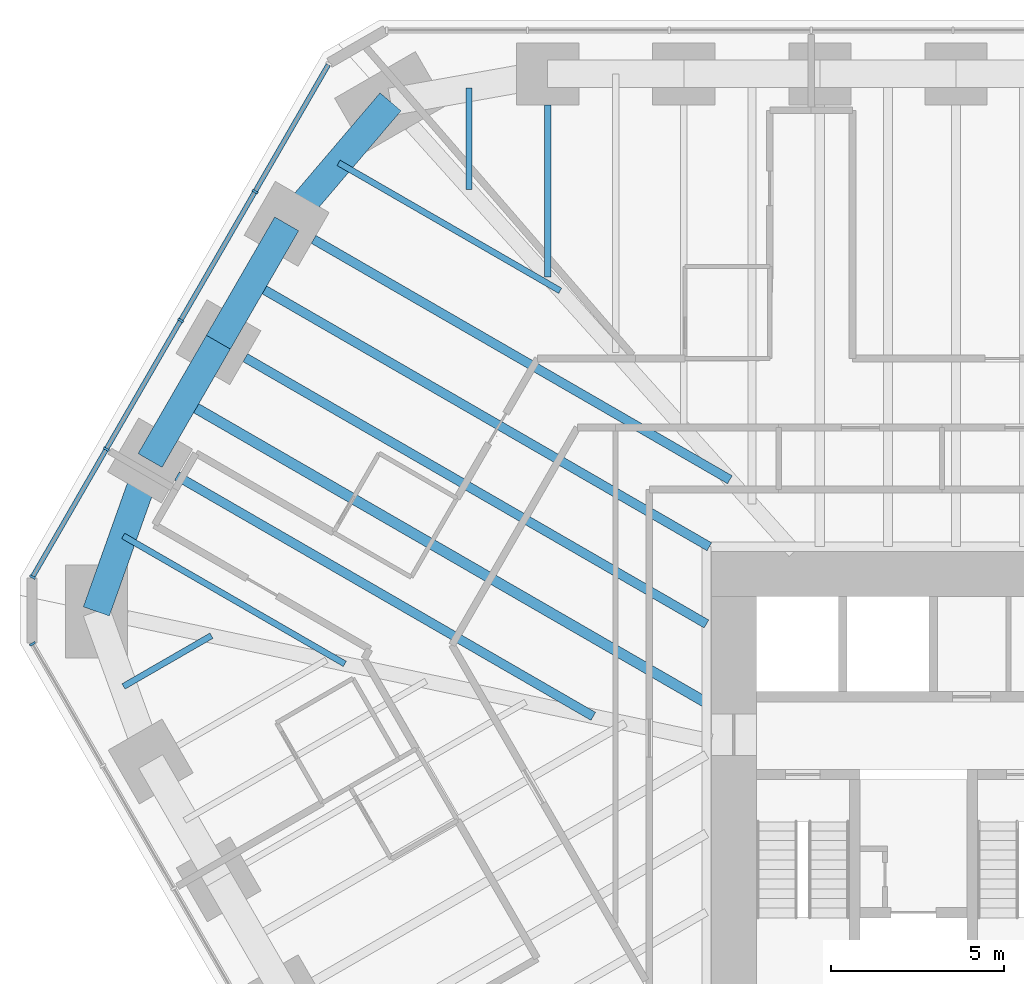
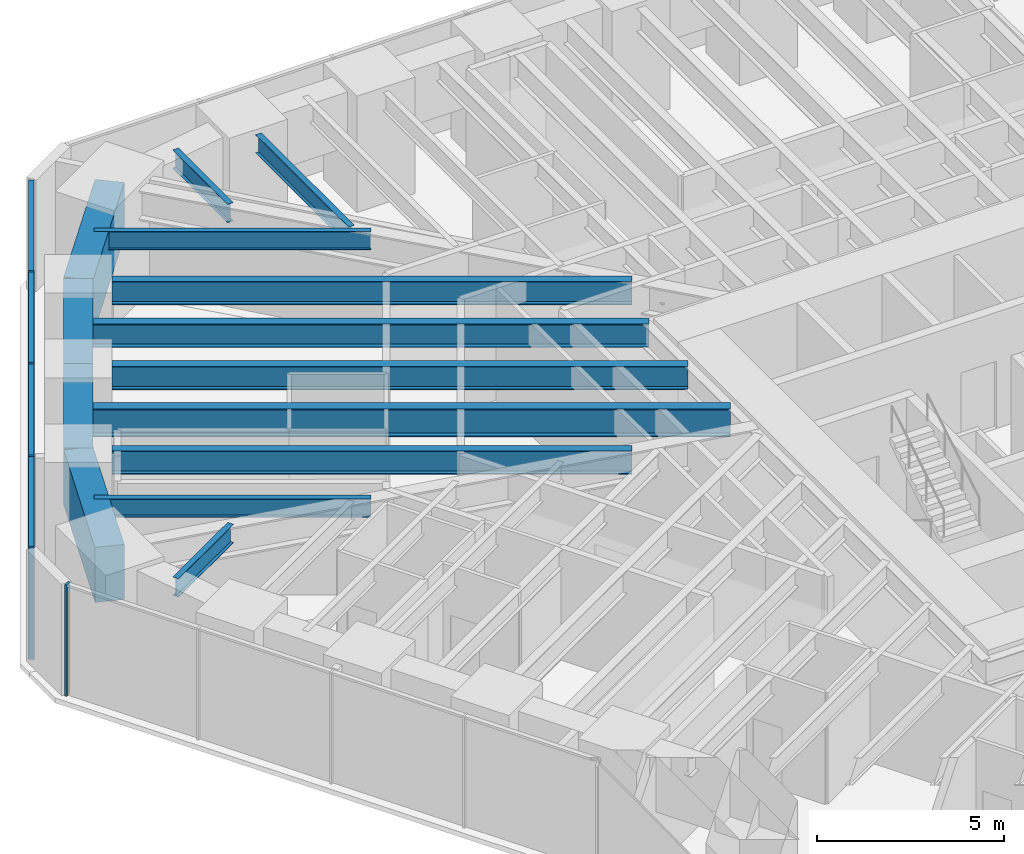
# One storey, part 7 of 17: 14 beams, 9 members, 2 elements without a shape of their own.
"""IFC4 building model written with IfcOpenShell, lengths in metres."""

from ifc_helpers import new_model, si_unit, direction, frame, origin, origin_2d, place, context, subcontext, project, spatial, rectangle, i_section, extrude, material, material_profile, profile_set, type_object, element, aggregate, save


model = new_model("IFC4")

# Units and contexts
model_context = context("Model", 3, precision=1e-05, world=origin(), true_north=direction((0.0, 1.0)))
body_context = subcontext(model_context, "Body", "Model", "MODEL_VIEW")
ifc_project = project(units=[si_unit("LENGTHUNIT", "METRE"), si_unit("AREAUNIT", "SQUARE_METRE"), si_unit("VOLUMEUNIT", "CUBIC_METRE"), si_unit("PLANEANGLEUNIT", "RADIAN"), si_unit("MASSUNIT", "GRAM", prefix="KILO")], contexts=[model_context])

# Site, building, storey
site_placement = place(None, origin())
site = spatial("IfcSite", under=ifc_project, at=site_placement, CompositionType="ELEMENT")
building_placement = place(site_placement, origin())
building = spatial("IfcBuilding", under=site, at=building_placement, Name="Sandreach Pilgrim Tower", CompositionType="ELEMENT")
storey_placement = place(building_placement, frame((0.0, 0.0, 112.0)))
storey = spatial("IfcBuildingStorey", under=building, at=storey_placement, Name="L27", CompositionType="ELEMENT", Elevation=112.0)

# Curtain wall, member
ifc_material_1 = material(Name="Aluminium framed curtain wall", Category="aluminium")
curtain_wall_type = type_object("IfcCurtainWallType", Name="Hotel tower curtain wall", PredefinedType="NOTDEFINED", material=ifc_material_1)
curtain_wall_1_placement = place(storey_placement, origin())
curtain_wall_1 = element("IfcCurtainWall", 1, at=curtain_wall_1_placement, inside=storey, type_object=curtain_wall_type, Name="CW-2 L27 SW", PredefinedType="NOTDEFINED")
ifc_material_2 = material(Name="Aluminium extrusion", Category="aluminium")
ifc_material_profile_1 = material_profile(ifc_material_2, rectangle(XDim=0.06494140625, YDim=0.179931640625, at=origin_2d()), Name="CW-2M 65X180")
ifc_profile_set_1 = profile_set([ifc_material_profile_1], Name="Aluminium extrusion")
member_type_1 = type_object("IfcMemberType", Name="CW-2 mullion", PredefinedType="MULLION", material=ifc_profile_set_1)
member_1_placement = place(storey_placement, frame((-28.70458984375, 4.730224609375, 0.0), z_axis=(0.0, 0.0, 1.0), x_axis=(-0.5, 0.866025403784, 0.0)))
member_1 = element("IfcMember", 2, at=member_1_placement, type_object=member_type_1, Name="CW-2 mullion 10", PredefinedType="MULLION", context=body_context, shape_type="SweptSolid", body=[
    extrude(rectangle(XDim=0.06494140625, YDim=0.179931640625, at=origin_2d()), origin(), (0.0, 0.0, 1.0), 3.639892578125),
])
aggregate(curtain_wall_1, [member_1])

# Curtain wall, members
curtain_wall_2_placement = place(storey_placement, origin())
curtain_wall_2 = element("IfcCurtainWall", 3, at=curtain_wall_2_placement, inside=storey, type_object=curtain_wall_type, Name="CW-2 L27 NW", PredefinedType="NOTDEFINED")
member_2_placement = place(storey_placement, frame((-28.70458984375, 6.66650390625, 0.0), z_axis=(0.0, 0.0, 1.0), x_axis=(0.5, 0.866025403784, 0.0)))
member_2 = element("IfcMember", 4, at=member_2_placement, type_object=member_type_1, Name="CW-2 mullion 1", PredefinedType="MULLION", context=body_context, shape_type="SweptSolid", body=[
    extrude(rectangle(XDim=0.06494140625, YDim=0.179931640625, at=origin_2d()), origin(), (0.0, 0.0, 1.0), 3.639892578125),
])
member_3_placement = place(storey_placement, frame((-26.568115234375, 10.3671875, 0.0), z_axis=(0.0, 0.0, 1.0), x_axis=(0.5, 0.866025403784, 0.0)))
member_3 = element("IfcMember", 5, at=member_3_placement, type_object=member_type_1, Name="CW-2 mullion 2", PredefinedType="MULLION", context=body_context, shape_type="SweptSolid", body=[
    extrude(rectangle(XDim=0.06494140625, YDim=0.179931640625, at=origin_2d()), origin(), (0.0, 0.0, 1.0), 3.639892578125),
])
member_4_placement = place(storey_placement, frame((-24.415283203125, 14.09619140625, 0.0), z_axis=(0.0, 0.0, 1.0), x_axis=(0.5, 0.866025403784, 0.0)))
member_4 = element("IfcMember", 6, at=member_4_placement, type_object=member_type_1, Name="CW-2 mullion 3", PredefinedType="MULLION", context=body_context, shape_type="SweptSolid", body=[
    extrude(rectangle(XDim=0.06494140625, YDim=0.179931640625, at=origin_2d()), origin(), (0.0, 0.0, 1.0), 3.639892578125),
])
member_5_placement = place(storey_placement, frame((-22.262451171875, 17.824951171875, 0.0), z_axis=(0.0, 0.0, 1.0), x_axis=(0.5, 0.866025403784, 0.0)))
member_5 = element("IfcMember", 7, at=member_5_placement, type_object=member_type_1, Name="CW-2 mullion 4", PredefinedType="MULLION", context=body_context, shape_type="SweptSolid", body=[
    extrude(rectangle(XDim=0.06494140625, YDim=0.179931640625, at=origin_2d()), origin(), (0.0, 0.0, 1.0), 3.639892578125),
])
ifc_material_3 = material(Name="Aluminium extrusion", Category="aluminium")
ifc_material_profile_2 = material_profile(ifc_material_3, rectangle(XDim=0.139892578125, YDim=0.070068359375, at=origin_2d()), Name="CW-2T 140X70")
ifc_profile_set_2 = profile_set([ifc_material_profile_2], Name="Aluminium extrusion")
member_type_2 = type_object("IfcMemberType", Name="CW-2 transom", PredefinedType="USERDEFINED", material=ifc_profile_set_2)
member_6_placement = place(storey_placement, frame((-28.6884765625, 6.69482421875, 3.60498046875), z_axis=(0.500038835258, 0.866002981077, 0.0), x_axis=(-0.866002981077, 0.500038835258, 0.0)))
member_6 = element("IfcMember", 8, at=member_6_placement, type_object=member_type_2, Name="CW-2 head transom 1", ObjectType="TRANSOM", PredefinedType="USERDEFINED", context=body_context, shape_type="SweptSolid", body=[
    extrude(rectangle(XDim=0.139892578125, YDim=0.070068359375, at=origin_2d()), origin(), (0.0, 0.0, 1.0), 4.208251953125),
])
member_7_placement = place(storey_placement, frame((-26.5517578125, 10.3955078125, 3.60498046875), z_axis=(0.500021471012, 0.866013007135, 0.0), x_axis=(-0.866013007135, 0.500021471012, 0.0)))
member_7 = element("IfcMember", 9, at=member_7_placement, type_object=member_type_2, Name="CW-2 head transom 2", ObjectType="TRANSOM", PredefinedType="USERDEFINED", context=body_context, shape_type="SweptSolid", body=[
    extrude(rectangle(XDim=0.139892578125, YDim=0.070068359375, at=origin_2d()), origin(), (0.0, 0.0, 1.0), 4.240478515625),
])
member_8_placement = place(storey_placement, frame((-24.39892578125, 14.124267578125, 3.60498046875), z_axis=(0.499996541496, 0.866027400544, 0.0), x_axis=(-0.866027400544, 0.499996541496, 0.0)))
member_8 = element("IfcMember", 10, at=member_8_placement, type_object=member_type_2, Name="CW-2 head transom 3", ObjectType="TRANSOM", PredefinedType="USERDEFINED", context=body_context, shape_type="SweptSolid", body=[
    extrude(rectangle(XDim=0.139892578125, YDim=0.070068359375, at=origin_2d()), origin(), (0.0, 0.0, 1.0), 4.24072265625),
])
member_9_placement = place(storey_placement, frame((-22.24609375, 17.85302734375, 3.60498046875), z_axis=(0.49997020258, 0.86604260665, 0.0), x_axis=(-0.86604260665, 0.49997020258, 0.0)))
member_9 = element("IfcMember", 11, at=member_9_placement, type_object=member_type_2, Name="CW-2 head transom 4", ObjectType="TRANSOM", PredefinedType="USERDEFINED", context=body_context, shape_type="SweptSolid", body=[
    extrude(rectangle(XDim=0.139892578125, YDim=0.070068359375, at=origin_2d()), origin(), (0.0, 0.0, 1.0), 4.208251953125),
])
aggregate(curtain_wall_2, [member_2, member_3, member_4, member_5, member_6, member_7, member_8, member_9])

# Beams
ifc_material_4 = material(Name="Steel ASTM A992 Grade 50", Category="steel")
ifc_material_profile_3 = material_profile(ifc_material_4, i_section(OverallWidth=0.1787109375, OverallDepth=0.60205078125, WebThickness=0.010986328125, FlangeThickness=0.014892578125, at=origin_2d()), Name="W24X62")
ifc_profile_set_3 = profile_set([ifc_material_profile_3], Name="Steel ASTM A992 Grade 50")
beam_type_1 = type_object("IfcBeamType", Name="Floor beam W24X62", PredefinedType="BEAM", material=ifc_profile_set_3)
beam_1_placement = place(storey_placement, frame((-13.789794921875, 20.333740234375, 3.339111328125), z_axis=(0.0, -1.0, 0.0), x_axis=(1.0, 0.0, 0.0)))
element("IfcBeam", 12, at=beam_1_placement, inside=storey, type_object=beam_type_1, Name="BM L27 F01", PredefinedType="BEAM", context=body_context, shape_type="SweptSolid", body=[
    extrude(i_section(OverallWidth=0.1787109375, OverallDepth=0.60205078125, WebThickness=0.010986328125, FlangeThickness=0.014892578125, at=origin_2d()), origin(), (0.0, 0.0, 1.0), 4.9765625),
])
beam_2_placement = place(storey_placement, frame((-26.070556640625, 3.498046875, 3.339111328125), z_axis=(0.866051374412, 0.499955014855, 0.0), x_axis=(-0.499955014855, 0.866051374412, 0.0)))
element("IfcBeam", 13, at=beam_2_placement, inside=storey, type_object=beam_type_1, Name="BM L27 FM34", PredefinedType="BEAM", context=body_context, shape_type="SweptSolid", body=[
    extrude(i_section(OverallWidth=0.1787109375, OverallDepth=0.60205078125, WebThickness=0.010986328125, FlangeThickness=0.014892578125, at=origin_2d()), origin(), (0.0, 0.0, 1.0), 2.938232421875),
])
for number, where, z_axis, x_axis, name in (
    (14, (-26.079345703125, 7.855712890625, 3.339111328125), (0.866025875064, -0.499999183719, 0.0), (0.499999183719, 0.866025875064, 0.0), "BM L27 FM35"),
    (15, (-19.8427734375, 18.65771484375, 3.339111328125), (0.866025875064, -0.499999183719, 0.0), (0.499999183719, 0.866025875064, 0.0), "BM L27 FM38"),
):
    element("IfcBeam", number, at=place(storey_placement, frame(where, z_axis=z_axis, x_axis=x_axis)), inside=storey, type_object=beam_type_1, Name=name, PredefinedType="BEAM", context=body_context, shape_type="SweptSolid", body=[
        extrude(i_section(OverallWidth=0.1787109375, OverallDepth=0.60205078125, WebThickness=0.010986328125, FlangeThickness=0.014892578125, at=origin_2d()), origin(), (0.0, 0.0, 1.0), 7.40771484375),
    ])
beam_3_placement = place(storey_placement, frame((-16.064697265625, 20.828857421875, 3.339111328125), z_axis=(0.0, -1.0, 0.0), x_axis=(1.0, 0.0, 0.0)))
element("IfcBeam", 16, at=beam_3_placement, inside=storey, type_object=beam_type_1, Name="BM L27 FM39", PredefinedType="BEAM", context=body_context, shape_type="SweptSolid", body=[
    extrude(i_section(OverallWidth=0.1787109375, OverallDepth=0.60205078125, WebThickness=0.010986328125, FlangeThickness=0.014892578125, at=origin_2d()), origin(), (0.0, 0.0, 1.0), 2.938232421875),
])
ifc_material_5 = material(Name="Steel ASTM A992 Grade 50", Category="steel")
ifc_material_profile_4 = material_profile(ifc_material_5, i_section(OverallWidth=0.2666015625, OverallDepth=0.761962890625, WebThickness=0.014404296875, FlangeThickness=0.021484375, at=origin_2d()), Name="W30X116")
ifc_profile_set_4 = profile_set([ifc_material_profile_4], Name="Steel ASTM A992 Grade 50")
beam_type_2 = type_object("IfcBeamType", Name="Floor beam W30X116", PredefinedType="BEAM", material=ifc_profile_set_4)
beam_4_placement = place(storey_placement, frame((-24.522216796875, 9.5908203125, 3.259033203125), z_axis=(0.866026649588, -0.499997842199, 0.0), x_axis=(0.499997842199, 0.866026649588, 0.0)))
element("IfcBeam", 17, at=beam_4_placement, inside=storey, type_object=beam_type_2, Name="BM L27 F36", PredefinedType="BEAM", context=body_context, shape_type="SweptSolid", body=[
    extrude(i_section(OverallWidth=0.2666015625, OverallDepth=0.761962890625, WebThickness=0.014404296875, FlangeThickness=0.021484375, at=origin_2d()), origin(), (0.0, 0.0, 1.0), 13.91552734375),
])
beam_5_placement = place(storey_placement, frame((-20.56689453125, 16.44140625, 3.259033203125), z_axis=(0.866022263426, -0.500005439221, 0.0), x_axis=(0.500005439221, 0.866022263426, 0.0)))
element("IfcBeam", 18, at=beam_5_placement, inside=storey, type_object=beam_type_2, Name="BM L27 F38", PredefinedType="BEAM", context=body_context, shape_type="SweptSolid", body=[
    extrude(i_section(OverallWidth=0.2666015625, OverallDepth=0.761962890625, WebThickness=0.014404296875, FlangeThickness=0.021484375, at=origin_2d()), origin(), (0.0, 0.0, 1.0), 13.915283203125),
])
ifc_material_6 = material(Name="Steel ASTM A992 Grade 50", Category="steel")
ifc_material_profile_5 = material_profile(ifc_material_6, i_section(OverallWidth=0.2666015625, OverallDepth=0.77978515625, WebThickness=0.0166015625, FlangeThickness=0.030029296875, at=origin_2d()), Name="W30X148")
ifc_profile_set_5 = profile_set([ifc_material_profile_5], Name="Steel ASTM A992 Grade 50")
beam_type_3 = type_object("IfcBeamType", Name="Floor beam W30X148", PredefinedType="BEAM", material=ifc_profile_set_5)
beam_6_placement = place(storey_placement, frame((-22.544677734375, 13.01611328125, 3.25), z_axis=(0.866029203842, -0.49999341805, 0.0), x_axis=(0.49999341805, 0.866029203842, 0.0)))
element("IfcBeam", 19, at=beam_6_placement, inside=storey, type_object=beam_type_3, Name="BM L27 F37", PredefinedType="BEAM", context=body_context, shape_type="SweptSolid", body=[
    extrude(i_section(OverallWidth=0.2666015625, OverallDepth=0.77978515625, WebThickness=0.0166015625, FlangeThickness=0.030029296875, at=origin_2d()), origin(), (0.0, 0.0, 1.0), 15.416748046875),
])
beam_7_placement = place(storey_placement, frame((-22.335205078125, 15.1787109375, 3.25), z_axis=(0.866028773314, -0.499994163758, 0.0), x_axis=(0.499994163758, 0.866028773314, 0.0)))
element("IfcBeam", 20, at=beam_7_placement, inside=storey, type_object=beam_type_3, Name="BM L27 FM37", PredefinedType="BEAM", context=body_context, shape_type="SweptSolid", body=[
    extrude(i_section(OverallWidth=0.2666015625, OverallDepth=0.77978515625, WebThickness=0.0166015625, FlangeThickness=0.030029296875, at=origin_2d()), origin(), (0.0, 0.0, 1.0), 15.270751953125),
])
ifc_material_7 = material(Name="Steel ASTM A992 Grade 50", Category="steel")
ifc_material_profile_6 = material_profile(ifc_material_7, i_section(OverallWidth=0.3046875, OverallDepth=0.914306640625, WebThickness=0.0166015625, FlangeThickness=0.02587890625, at=origin_2d()), Name="W36X160")
ifc_profile_set_6 = profile_set([ifc_material_profile_6], Name="Steel ASTM A992 Grade 50")
beam_type_4 = type_object("IfcBeamType", Name="Floor beam W36X160", PredefinedType="BEAM", material=ifc_profile_set_6)
beam_8_placement = place(storey_placement, frame((-24.312744140625, 11.75341796875, 3.182861328125), z_axis=(0.866023737483, -0.500002886107, 0.0), x_axis=(0.500002886107, 0.866023737483, 0.0)))
element("IfcBeam", 21, at=beam_8_placement, inside=storey, type_object=beam_type_4, Name="BM L27 FM36", PredefinedType="BEAM", context=body_context, shape_type="SweptSolid", body=[
    extrude(i_section(OverallWidth=0.3046875, OverallDepth=0.914306640625, WebThickness=0.0166015625, FlangeThickness=0.02587890625, at=origin_2d()), origin(), (0.0, 0.0, 1.0), 17.45849609375),
])
ifc_material_8 = material(Name="Concrete 10000 psi", Category="concrete")
ifc_material_profile_7 = material_profile(ifc_material_8, rectangle(XDim=0.800048828125, YDim=1.800048828125, at=origin_2d()), Name="RC800X1800")
ifc_profile_set_7 = profile_set([ifc_material_profile_7], Name="Concrete 10000 psi")
beam_type_5 = type_object("IfcBeamType", Name="Spandrel beam RC800X1800", PredefinedType="SPANDREL", material=ifc_profile_set_7)
beam_9_placement = place(storey_placement, frame((-26.857177734375, 5.67041015625, 2.739990234375), z_axis=(0.335346041399, 0.942095023083, 0.0), x_axis=(-0.942095023083, 0.335346041399, 0.0)))
element("IfcBeam", 22, at=beam_9_placement, inside=storey, type_object=beam_type_5, Name="BM L27 SP35", PredefinedType="SPANDREL", context=body_context, shape_type="SweptSolid", body=[
    extrude(rectangle(XDim=0.800048828125, YDim=1.800048828125, at=origin_2d()), origin(), (0.0, 0.0, 1.0), 4.638916015625),
])
for number, where, z_axis, x_axis, name in (
    (23, (-25.301513671875, 10.040771484375, 2.739990234375), (0.499989616998, 0.866031398331, 0.0), (-0.866031398331, 0.499989616998, 0.0), "BM L27 SP36"),
    (24, (-23.323974609375, 13.466064453125, 2.739990234375), (0.499989616998, 0.866031398331, 0.0), (-0.866031398331, 0.499989616998, 0.0), "BM L27 SP37"),
):
    element("IfcBeam", number, at=place(storey_placement, frame(where, z_axis=z_axis, x_axis=x_axis)), inside=storey, type_object=beam_type_5, Name=name, PredefinedType="SPANDREL", context=body_context, shape_type="SweptSolid", body=[
        extrude(rectangle(XDim=0.800048828125, YDim=1.800048828125, at=origin_2d()), origin(), (0.0, 0.0, 1.0), 3.955078125),
    ])
beam_10_placement = place(storey_placement, frame((-21.346435546875, 16.891357421875, 2.739990234375), z_axis=(0.648208888384, 0.761462564425, 0.0), x_axis=(-0.761462564425, 0.648208888384, 0.0)))
element("IfcBeam", 25, at=beam_10_placement, inside=storey, type_object=beam_type_5, Name="BM L27 SP38", PredefinedType="SPANDREL", context=body_context, shape_type="SweptSolid", body=[
    extrude(rectangle(XDim=0.800048828125, YDim=1.800048828125, at=origin_2d()), origin(), (0.0, 0.0, 1.0), 4.63916015625),
])

save(model, "model.ifc")
